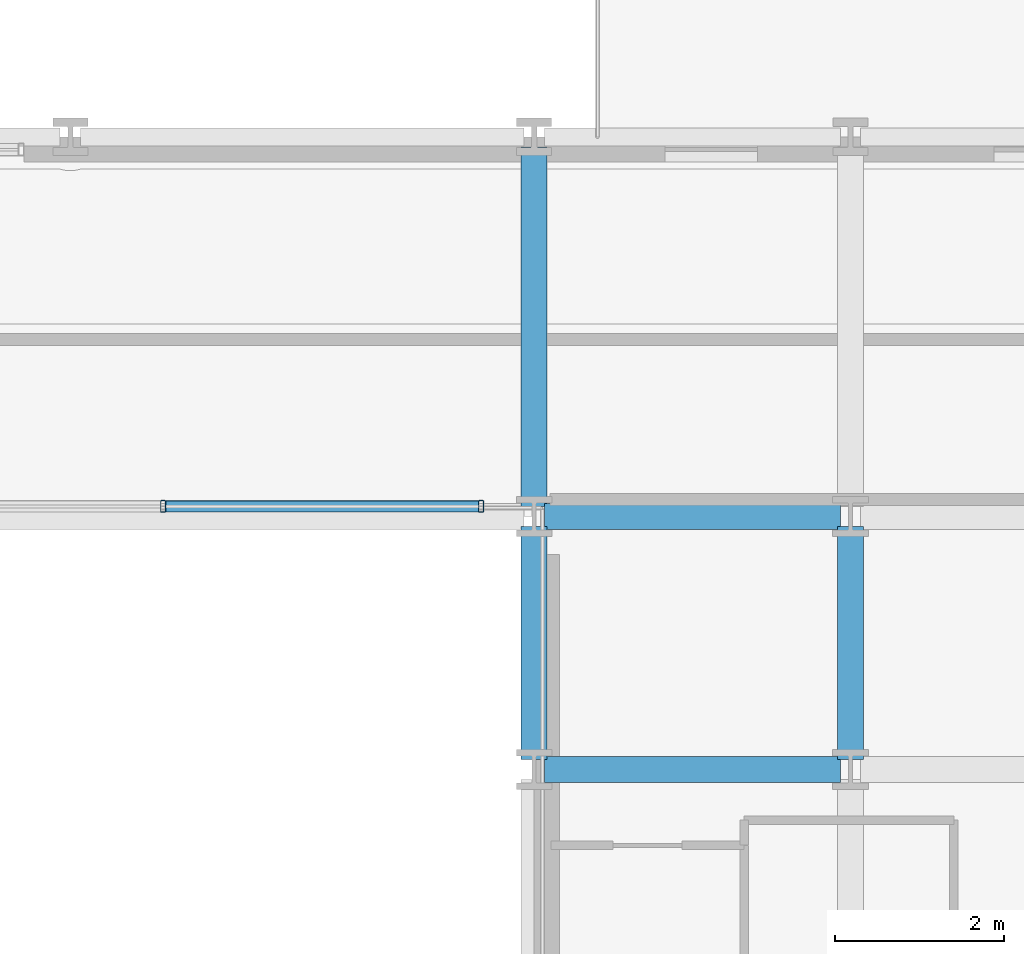
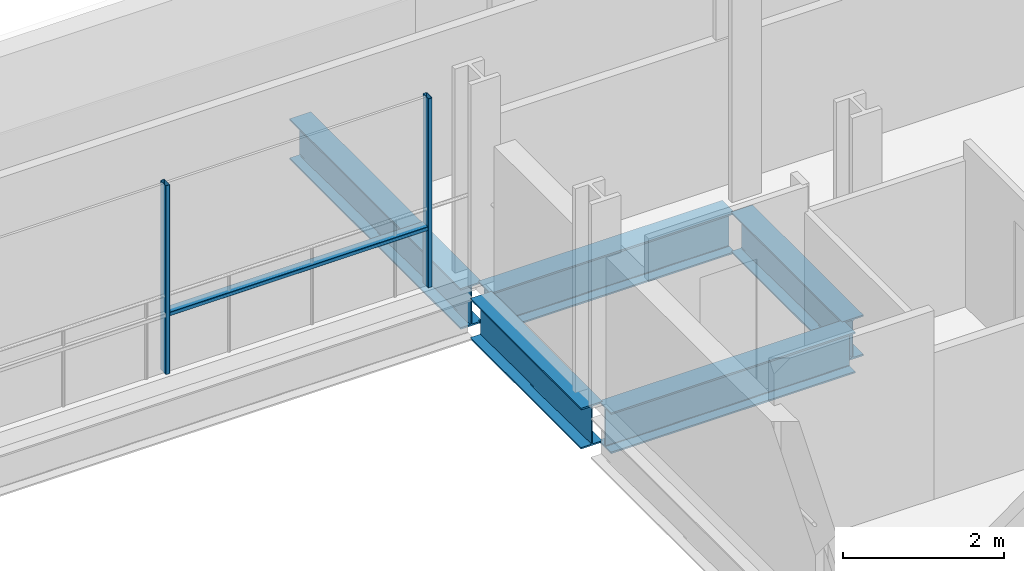
# One storey, part 17 of 41: 5 beams, 3 members, 1 element without a shape of its own.
"""IFC4 building model written with IfcOpenShell, lengths in metres."""

from ifc_helpers import new_model, si_unit, direction, frame, origin, origin_2d, place, context, subcontext, project, spatial, hollow_rectangle, i_section, extrude, material, layer, layer_set, material_profile, profile_set, type_object, element, aggregate, save


model = new_model("IFC4")

# Units and contexts
model_context = context("Model", 3, precision=1e-05, world=origin(), true_north=direction((0.0, 1.0)))
body_context = subcontext(model_context, "Body", "Model", "MODEL_VIEW")
ifc_project = project(units=[si_unit("LENGTHUNIT", "METRE"), si_unit("AREAUNIT", "SQUARE_METRE"), si_unit("VOLUMEUNIT", "CUBIC_METRE"), si_unit("PLANEANGLEUNIT", "RADIAN"), si_unit("MASSUNIT", "GRAM", prefix="KILO")], contexts=[model_context])

# Site, building, storey
site_placement = place(None, origin())
site = spatial("IfcSite", under=ifc_project, at=site_placement, CompositionType="ELEMENT")
building_placement = place(site_placement, origin())
building = spatial("IfcBuilding", under=site, at=building_placement, Name="Brevholm Reach", CompositionType="ELEMENT")
storey_placement = place(building_placement, frame((0.0, 0.0, 49.699951171875)))
storey = spatial("IfcBuildingStorey", under=building, at=storey_placement, Name="L13", CompositionType="ELEMENT", Elevation=49.699951171875)

# Beams
ifc_material_1 = material(Name="Structural Steel S355J2", Category="steel")
ifc_material_profile_1 = material_profile(ifc_material_1, i_section(OverallWidth=0.30712890625, OverallDepth=0.6201171875, WebThickness=0.01416015625, FlangeThickness=0.023681640625, FilletRadius=0.0166015625, at=origin_2d()), Name="UKB 610x305x179")
ifc_profile_set_1 = profile_set([ifc_material_profile_1], Name="Structural Steel S355J2")
beam_type = type_object("IfcBeamType", Name="BM-UKB610H", PredefinedType="USERDEFINED", material=ifc_profile_set_1)
for number, where, z_axis, x_axis, name in (
    (1, (38.3701171875, 23.5, -0.5400390625), (1.0, 0.0, 0.0), (0.0, 1.0, 0.0), "L13 G-06 Framing Beam"),
    (2, (38.3701171875, 26.5, -0.5400390625), (1.0, 0.0, 0.0), (0.0, 1.0, 0.0), "L13 G-06 Framing Beam"),
):
    element("IfcBeam", number, at=place(storey_placement, frame(where, z_axis=z_axis, x_axis=x_axis)), inside=storey, type_object=beam_type, Name=name, ObjectType="GIRDER", PredefinedType="USERDEFINED", context=body_context, shape_type="SweptSolid", body=[
        extrude(i_section(OverallWidth=0.30712890625, OverallDepth=0.6201171875, WebThickness=0.01416015625, FlangeThickness=0.023681640625, FilletRadius=0.0166015625, at=origin_2d()), origin(), (0.0, 0.0, 1.0), 3.509765625),
    ])
beam_1_placement = place(storey_placement, frame((38.25, 23.6201171875, -0.5400390625), z_axis=(0.0, 1.0, 0.0), x_axis=(-1.0, 0.0, 0.0)))
element("IfcBeam", 3, at=beam_1_placement, inside=storey, type_object=beam_type, Name="L13 G-06 Framing Beam", ObjectType="GIRDER", PredefinedType="USERDEFINED", context=body_context, shape_type="SweptSolid", body=[
    extrude(i_section(OverallWidth=0.30712890625, OverallDepth=0.6201171875, WebThickness=0.01416015625, FlangeThickness=0.023681640625, FilletRadius=0.0166015625, at=origin_2d()), origin(), (0.0, 0.0, 1.0), 2.759765625),
])
beam_2_placement = place(storey_placement, frame((38.25, 26.6201171875, -0.5400390625), z_axis=(0.0, 1.0, 0.0), x_axis=(-1.0, 0.0, 0.0)))
element("IfcBeam", 4, at=beam_2_placement, inside=storey, type_object=beam_type, Name="L13 G-06 Framing Beam", ObjectType="GIRDER", PredefinedType="USERDEFINED", context=body_context, shape_type="SweptSolid", body=[
    extrude(i_section(OverallWidth=0.30712890625, OverallDepth=0.6201171875, WebThickness=0.01416015625, FlangeThickness=0.023681640625, FilletRadius=0.0166015625, at=origin_2d()), origin(), (0.0, 0.0, 1.0), 4.259765625),
])
beam_3_placement = place(storey_placement, frame((42.0, 23.6201171875, -0.5400390625), z_axis=(0.0, 1.0, 0.0), x_axis=(-1.0, 0.0, 0.0)))
element("IfcBeam", 5, at=beam_3_placement, inside=storey, type_object=beam_type, Name="L13 G-06 Framing Beam", ObjectType="GIRDER", PredefinedType="USERDEFINED", context=body_context, shape_type="SweptSolid", body=[
    extrude(i_section(OverallWidth=0.30712890625, OverallDepth=0.6201171875, WebThickness=0.01416015625, FlangeThickness=0.023681640625, FilletRadius=0.0166015625, at=origin_2d()), origin(), (0.0, 0.0, 1.0), 2.759765625),
])

# Curtain wall, members
ifc_material_2 = material(Name="Dark Anodised Aluminium 6063-T6 and Solar-Control Glass", Category="aluminium")
ifc_layer = layer(ifc_material_2, 0.139892578125)
ifc_layer_set = layer_set([ifc_layer], Name="Dark Anodised Aluminium 6063-T6 and Solar-Control Glass")
curtain_wall_type = type_object("IfcCurtainWallType", Name="CW-02", PredefinedType="NOTDEFINED", material=ifc_layer_set)
curtain_wall_placement = place(storey_placement, origin())
curtain_wall = element("IfcCurtainWall", 6, at=curtain_wall_placement, inside=storey, type_object=curtain_wall_type, Name="L13 Curtain Wall CW-02", PredefinedType="NOTDEFINED")
ifc_material_3 = material(Name="Dark Anodised Aluminium 6063-T6", Category="aluminium")
ifc_material_profile_2 = material_profile(ifc_material_3, hollow_rectangle(XDim=0.06005859375, YDim=0.139892578125, WallThickness=0.0048828125, InnerFilletRadius=0.0048828125, OuterFilletRadius=0.010009765625, at=origin_2d()), Name="RHS 140x60x5")
ifc_profile_set_2 = profile_set([ifc_material_profile_2], Name="Dark Anodised Aluminium 6063-T6")
member_type_1 = type_object("IfcMemberType", Name="CWM-140", PredefinedType="MULLION", material=ifc_profile_set_2)
member_1_placement = place(storey_placement, frame((37.6201171875, 26.6201171875, 0.0), z_axis=(0.0, 0.0, 1.0), x_axis=(-1.0, 0.0, 0.0)))
member_1 = element("IfcMember", 7, at=member_1_placement, type_object=member_type_1, Name="CM-140 Mullion 1", PredefinedType="MULLION", context=body_context, shape_type="SweptSolid", body=[
    extrude(hollow_rectangle(XDim=0.06005859375, YDim=0.139892578125, WallThickness=0.0048828125, InnerFilletRadius=0.0048828125, OuterFilletRadius=0.010009765625, at=origin_2d()), origin(), (0.0, 0.0, 1.0), 2.8701171875),
])
member_2_placement = place(storey_placement, frame((33.85009765625, 26.6201171875, 0.0), z_axis=(0.0, 0.0, 1.0), x_axis=(-1.0, 0.0, 0.0)))
member_2 = element("IfcMember", 8, at=member_2_placement, type_object=member_type_1, Name="CM-140 Mullion 2", PredefinedType="MULLION", context=body_context, shape_type="SweptSolid", body=[
    extrude(hollow_rectangle(XDim=0.06005859375, YDim=0.139892578125, WallThickness=0.0048828125, InnerFilletRadius=0.0048828125, OuterFilletRadius=0.010009765625, at=origin_2d()), origin(), (0.0, 0.0, 1.0), 2.8701171875),
])
ifc_material_4 = material(Name="Dark Anodised Aluminium 6063-T6", Category="aluminium")
ifc_material_profile_3 = material_profile(ifc_material_4, hollow_rectangle(XDim=0.06005859375, YDim=0.139892578125, WallThickness=0.0048828125, InnerFilletRadius=0.0048828125, OuterFilletRadius=0.010009765625, at=origin_2d()), Name="RHS 140x60x5")
ifc_profile_set_3 = profile_set([ifc_material_profile_3], Name="Dark Anodised Aluminium 6063-T6")
member_type_2 = type_object("IfcMemberType", Name="CWT-140", PredefinedType="NOTDEFINED", material=ifc_profile_set_3)
member_3_placement = place(storey_placement, frame((37.590087890625, 26.6201171875, 0.900146484375), z_axis=(-1.0, 0.0, 0.0), x_axis=(0.0, 0.0, 1.0)))
member_3 = element("IfcMember", 9, at=member_3_placement, type_object=member_type_2, Name="CT-140 Transom 1.1", ObjectType="TRANSOM", PredefinedType="USERDEFINED", context=body_context, shape_type="SweptSolid", body=[
    extrude(hollow_rectangle(XDim=0.06005859375, YDim=0.139892578125, WallThickness=0.0048828125, InnerFilletRadius=0.0048828125, OuterFilletRadius=0.010009765625, at=origin_2d()), origin(), (0.0, 0.0, 1.0), 3.710205078125),
])
aggregate(curtain_wall, [member_1, member_2, member_3])

save(model, "model.ifc")
